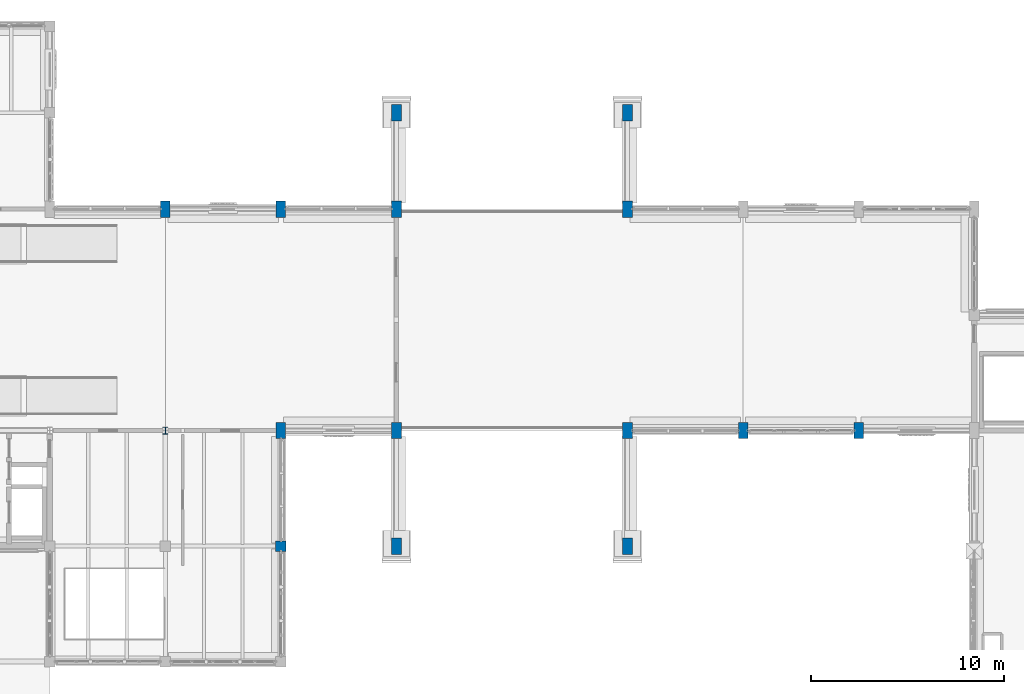
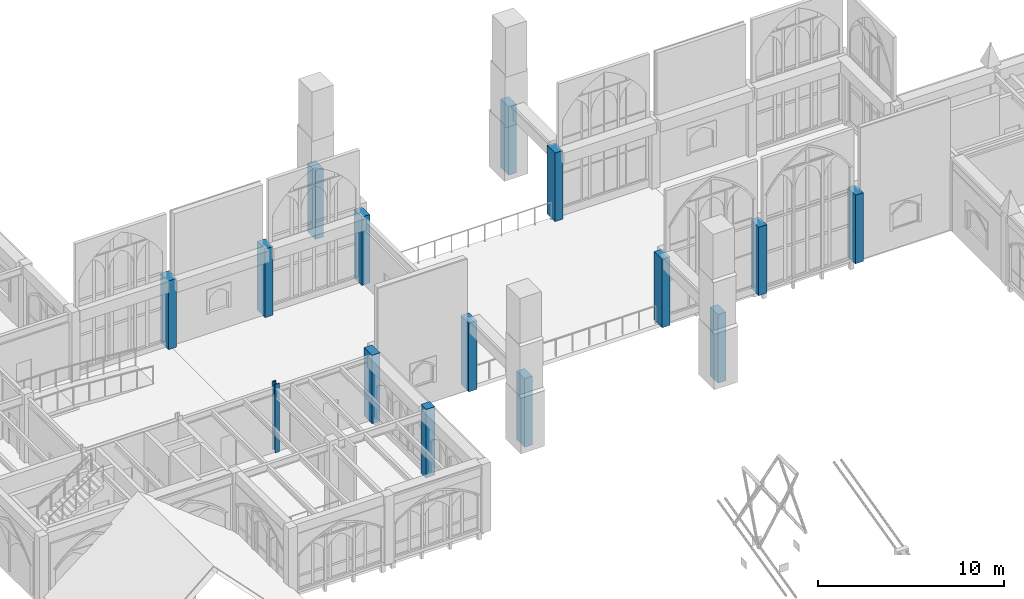
# One storey, part 4 of 108: 15 columns.
"""IFC4 building model written with IfcOpenShell, lengths in metres."""

from ifc_helpers import new_model, si_unit, direction, frame, origin, origin_2d, place, context, subcontext, project, spatial, rectangle, i_section, extrude, material, material_profile, profile_set, type_object, element, save


model = new_model("IFC4")

# Units and contexts
model_context = context("Model", 3, precision=1e-05, world=origin(), true_north=direction((0.0, 1.0)))
body_context = subcontext(model_context, "Body", "Model", "MODEL_VIEW")
ifc_project = project(units=[si_unit("LENGTHUNIT", "METRE"), si_unit("AREAUNIT", "SQUARE_METRE"), si_unit("VOLUMEUNIT", "CUBIC_METRE"), si_unit("PLANEANGLEUNIT", "RADIAN"), si_unit("MASSUNIT", "GRAM", prefix="KILO")], contexts=[model_context])

# Site, building, storey
site_placement = place(None, origin())
site = spatial("IfcSite", under=ifc_project, at=site_placement, CompositionType="ELEMENT")
building_placement = place(site_placement, origin())
building = spatial("IfcBuilding", under=site, at=building_placement, Name="Cumevento Cable Car Station", CompositionType="ELEMENT")
storey_placement = place(building_placement, frame((0.0, 0.0, 13.5)))
storey = spatial("IfcBuildingStorey", under=building, at=storey_placement, Name="L04", CompositionType="ELEMENT", Elevation=13.5)

# Columns
ifc_material_1 = material(Name="Concrete C40/50", Category="concrete")
ifc_material_profile_1 = material_profile(ifc_material_1, rectangle(XDim=0.5, YDim=0.85009765625, at=origin_2d()), Name="RC500x850")
ifc_profile_set_1 = profile_set([ifc_material_profile_1], Name="Concrete C40/50")
column_type_1 = type_object("IfcColumnType", Name="Buttress Pilaster P-BT850 RC500x850", PredefinedType="PILASTER", material=ifc_profile_set_1)
for number, where, z_axis, x_axis, name in (
    (1, (76.0, 56.5, 0.0), (0.0, 0.0, 1.0), (1.0, 0.0, 0.0), "Column P-BT850 L04 (76.0,56.5)"),
    (2, (82.0, 45.0, 0.0), (0.0, 0.0, 1.0), (1.0, 0.0, 0.0), "Column P-BT850 L04 (82.0,45.0)"),
    (3, (82.0, 56.5, 0.0), (0.0, 0.0, 1.0), (1.0, 0.0, 0.0), "Column P-BT850 L04 (82.0,56.5)"),
    (4, (88.0, 45.0, 0.0), (0.0, 0.0, 1.0), (1.0, 0.0, 0.0), "Column P-BT850 L04 (88.0,45.0)"),
    (5, (88.0, 56.5, 0.0), (0.0, 0.0, 1.0), (1.0, 0.0, 0.0), "Column P-BT850 L04 (88.0,56.5)"),
    (6, (100.0, 45.0, 0.0), (0.0, 0.0, 1.0), (1.0, 0.0, 0.0), "Column P-BT850 L04 (100.0,45.0)"),
    (7, (100.0, 56.5, 0.0), (0.0, 0.0, 1.0), (1.0, 0.0, 0.0), "Column P-BT850 L04 (100.0,56.5)"),
    (8, (106.0, 45.0, 0.0), (0.0, 0.0, 1.0), (1.0, 0.0, 0.0), "Column P-BT850 L04 (106.0,45.0)"),
    (9, (112.0, 45.0, 0.0), (0.0, 0.0, 1.0), (1.0, 0.0, 0.0), "Column P-BT850 L04 (112.0,45.0)"),
    (10, (88.0, 61.5, 0.0), (0.0, 0.0, 1.0), (1.0, 0.0, 0.0), "Portal/Terrace Column P-BT850 L04 (88.0,61.5)"),
    (11, (100.0, 61.5, 0.0), (0.0, 0.0, 1.0), (1.0, 0.0, 0.0), "Portal/Terrace Column P-BT850 L04 (100.0,61.5)"),
    (12, (88.0, 39.0, 0.0), (0.0, 0.0, 1.0), (1.0, 0.0, 0.0), "Portal/Terrace Column P-BT850 L04 (88.0,39.0)"),
    (13, (100.0, 39.0, 0.0), (0.0, 0.0, 1.0), (1.0, 0.0, 0.0), "Portal/Terrace Column P-BT850 L04 (100.0,39.0)"),
):
    element("IfcColumn", number, at=place(storey_placement, frame(where, z_axis=z_axis, x_axis=x_axis)), inside=storey, type_object=column_type_1, Name=name, PredefinedType="PILASTER", context=body_context, shape_type="SweptSolid", body=[
        extrude(rectangle(XDim=0.5, YDim=0.85009765625, at=origin_2d()), origin(), (0.0, 0.0, 1.0), 4.5),
    ])
ifc_material_2 = material(Name="Concrete C40/50", Category="concrete")
ifc_material_profile_2 = material_profile(ifc_material_2, rectangle(XDim=0.550048828125, YDim=0.550048828125, at=origin_2d()), Name="RC550x550")
ifc_profile_set_2 = profile_set([ifc_material_profile_2], Name="Concrete C40/50")
column_type_2 = type_object("IfcColumnType", Name="Column C-RC550 RC550x550", PredefinedType="COLUMN", material=ifc_profile_set_2)
column_1_placement = place(storey_placement, frame((82.0, 39.0, 0.0), z_axis=(0.0, 0.0, 1.0), x_axis=(1.0, 0.0, 0.0)))
element("IfcColumn", 14, at=column_1_placement, inside=storey, type_object=column_type_2, Name="Column C-RC550 L04 (82.0,39.0)", PredefinedType="COLUMN", context=body_context, shape_type="SweptSolid", body=[
    extrude(rectangle(XDim=0.550048828125, YDim=0.550048828125, at=origin_2d()), origin(), (0.0, 0.0, 1.0), 4.5),
])
ifc_material_3 = material(Name="Steel ASTM A572 Grade 50", Category="steel")
ifc_material_profile_3 = material_profile(ifc_material_3, i_section(OverallWidth=0.257080078125, OverallDepth=0.363037109375, WebThickness=0.012939453125, FlangeThickness=0.021728515625, at=origin_2d()), Name="W360x122.0")
ifc_profile_set_3 = profile_set([ifc_material_profile_3], Name="Steel ASTM A572 Grade 50")
column_type_3 = type_object("IfcColumnType", Name="Column C-ST360 W360x122.0", PredefinedType="COLUMN", material=ifc_profile_set_3)
column_2_placement = place(storey_placement, frame((76.0, 45.0, 0.0), z_axis=(0.0, 0.0, 1.0), x_axis=(1.0, 0.0, 0.0)))
element("IfcColumn", 15, at=column_2_placement, inside=storey, type_object=column_type_3, Name="Column C-ST360 L04 (76.0,45.0)", PredefinedType="COLUMN", context=body_context, shape_type="SweptSolid", body=[
    extrude(i_section(OverallWidth=0.257080078125, OverallDepth=0.363037109375, WebThickness=0.012939453125, FlangeThickness=0.021728515625, at=origin_2d()), origin(), (0.0, 0.0, 1.0), 4.5),
])

save(model, "model.ifc")
